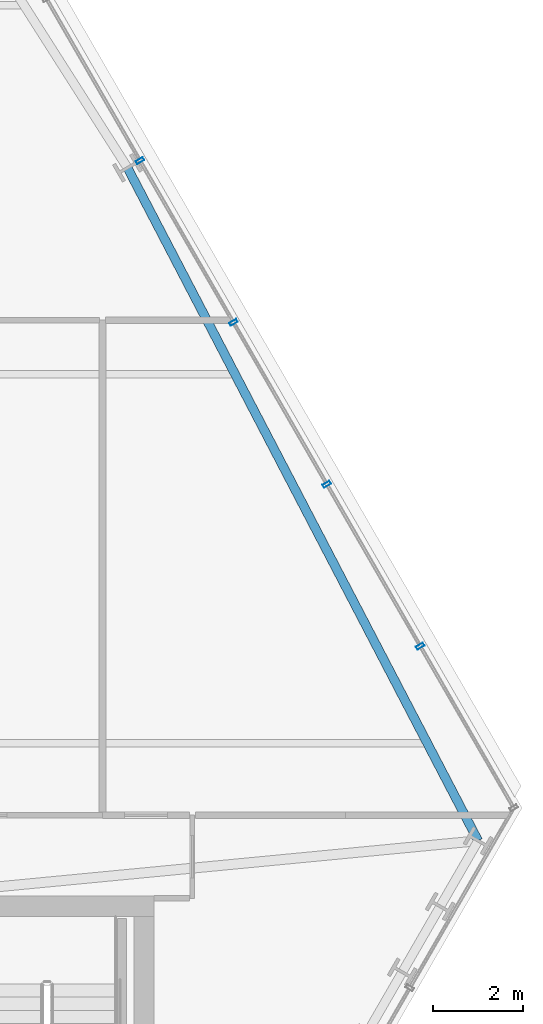
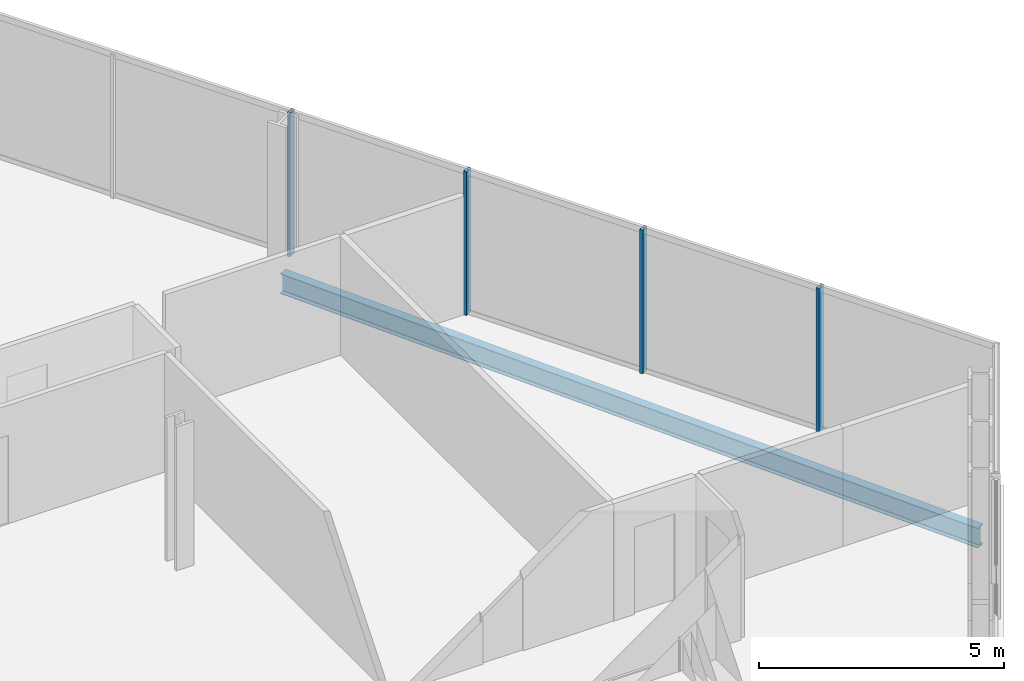
# One storey, part 19 of 32: 4 members, 1 beam, 1 element without a shape of its own.
"""IFC4 building model written with IfcOpenShell, lengths in metres."""

from ifc_helpers import new_model, si_unit, direction, frame, origin, origin_2d, place, context, subcontext, project, spatial, hollow_rectangle, i_section, extrude, material, layer, layer_set, material_profile, profile_set, type_object, element, aggregate, save


model = new_model("IFC4")

# Units and contexts
model_context = context("Model", 3, precision=1e-05, world=origin(), true_north=direction((0.0, 1.0)))
body_context = subcontext(model_context, "Body", "Model", "MODEL_VIEW")
ifc_project = project(units=[si_unit("LENGTHUNIT", "METRE"), si_unit("AREAUNIT", "SQUARE_METRE"), si_unit("VOLUMEUNIT", "CUBIC_METRE"), si_unit("PLANEANGLEUNIT", "RADIAN"), si_unit("MASSUNIT", "GRAM", prefix="KILO")], contexts=[model_context])

# Site, building, storey
site_placement = place(None, origin())
site = spatial("IfcSite", under=ifc_project, at=site_placement, CompositionType="ELEMENT")
building_placement = place(site_placement, origin())
building = spatial("IfcBuilding", under=site, at=building_placement, Name="Ndaravel Arena Tower", CompositionType="ELEMENT")
storey_placement = place(building_placement, frame((0.0, 0.0, 93.0)))
storey = spatial("IfcBuildingStorey", under=building, at=storey_placement, Name="L21", CompositionType="ELEMENT", Elevation=93.0)

# Beam
ifc_material_1 = material(Name="Steel S355", Category="steel")
ifc_material_profile_1 = material_profile(ifc_material_1, i_section(OverallWidth=0.199951171875, OverallDepth=0.5, WebThickness=0.01025390625, FlangeThickness=0.01611328125, FilletRadius=0.02099609375, at=origin_2d()), Name="IPE 500")
ifc_profile_set_1 = profile_set([ifc_material_profile_1], Name="Steel S355")
beam_type = type_object("IfcBeamType", Name="BM-SPAN-IPE500", PredefinedType="SPANDREL", material=ifc_profile_set_1)
beam_placement = place(storey_placement, frame((64.75, 16.4306640625, -0.469970703125), z_axis=(-0.462039036188, 0.886859588119, 0.0), x_axis=(-0.886859588119, -0.462039036188, 0.0)))
element("IfcBeam", 1, at=beam_placement, inside=storey, type_object=beam_type, Name="L21 Perimeter Spandrel Beam SP-09", PredefinedType="SPANDREL", context=body_context, shape_type="SweptSolid", body=[
    extrude(i_section(OverallWidth=0.199951171875, OverallDepth=0.5, WebThickness=0.01025390625, FlangeThickness=0.01611328125, FilletRadius=0.02099609375, at=origin_2d()), origin(), (0.0, 0.0, 1.0), 16.864990234375),
])

# Curtain wall, members
ifc_material_2 = material(Name="Aluminium", Category="aluminium")
ifc_layer = layer(ifc_material_2, 0.179931640625)
ifc_layer_set = layer_set([ifc_layer], Name="Aluminium")
curtain_wall_type = type_object("IfcCurtainWallType", Name="CW-SYS-03", PredefinedType="NOTDEFINED", material=ifc_layer_set)
curtain_wall_placement = place(storey_placement, origin())
curtain_wall = element("IfcCurtainWall", 2, at=curtain_wall_placement, inside=storey, type_object=curtain_wall_type, Name="L21 Faceted Crystal Curtain Wall CW-L21-E03", PredefinedType="NOTDEFINED")
ifc_material_3 = material(Name="Aluminium", Category="aluminium")
ifc_material_profile_2 = material_profile(ifc_material_3, hollow_rectangle(XDim=0.074951171875, YDim=0.179931640625, WallThickness=0.00390625, at=origin_2d()), Name="CW MULLION 75x180x4")
ifc_profile_set_2 = profile_set([ifc_material_profile_2], Name="Aluminium")
member_type = type_object("IfcMemberType", Name="MEM-CW-MUL180", PredefinedType="MULLION", material=ifc_profile_set_2)
member_1_placement = place(storey_placement, frame((63.46435546875, 20.75732421875, 0.0), z_axis=(0.0, 0.0, 1.0), x_axis=(-0.5, 0.866025403784, 0.0)))
member_1 = element("IfcMember", 3, at=member_1_placement, type_object=member_type, Name="CW-L21-E03 Mullion 01", PredefinedType="MULLION", context=body_context, shape_type="SweptSolid", body=[
    extrude(hollow_rectangle(XDim=0.074951171875, YDim=0.179931640625, WallThickness=0.00390625, at=origin_2d()), origin(), (0.0, 0.0, 1.0), 3.580078125),
])
member_2_placement = place(storey_placement, frame((61.3876953125, 24.35400390625, 0.0), z_axis=(0.0, 0.0, 1.0), x_axis=(-0.5, 0.866025403784, 0.0)))
member_2 = element("IfcMember", 4, at=member_2_placement, type_object=member_type, Name="CW-L21-E03 Mullion 02", PredefinedType="MULLION", context=body_context, shape_type="SweptSolid", body=[
    extrude(hollow_rectangle(XDim=0.074951171875, YDim=0.179931640625, WallThickness=0.00390625, at=origin_2d()), origin(), (0.0, 0.0, 1.0), 3.580078125),
])
member_3_placement = place(storey_placement, frame((59.311279296875, 27.95068359375, 0.0), z_axis=(0.0, 0.0, 1.0), x_axis=(-0.5, 0.866025403784, 0.0)))
member_3 = element("IfcMember", 5, at=member_3_placement, type_object=member_type, Name="CW-L21-E03 Mullion 03", PredefinedType="MULLION", context=body_context, shape_type="SweptSolid", body=[
    extrude(hollow_rectangle(XDim=0.074951171875, YDim=0.179931640625, WallThickness=0.00390625, at=origin_2d()), origin(), (0.0, 0.0, 1.0), 3.580078125),
])
member_4_placement = place(storey_placement, frame((57.234619140625, 31.54736328125, 0.0), z_axis=(0.0, 0.0, 1.0), x_axis=(-0.5, 0.866025403784, 0.0)))
member_4 = element("IfcMember", 6, at=member_4_placement, type_object=member_type, Name="CW-L21-E03 Mullion 04", PredefinedType="MULLION", context=body_context, shape_type="SweptSolid", body=[
    extrude(hollow_rectangle(XDim=0.074951171875, YDim=0.179931640625, WallThickness=0.00390625, at=origin_2d()), origin(), (0.0, 0.0, 1.0), 3.580078125),
])
aggregate(curtain_wall, [member_1, member_2, member_3, member_4])

save(model, "model.ifc")
